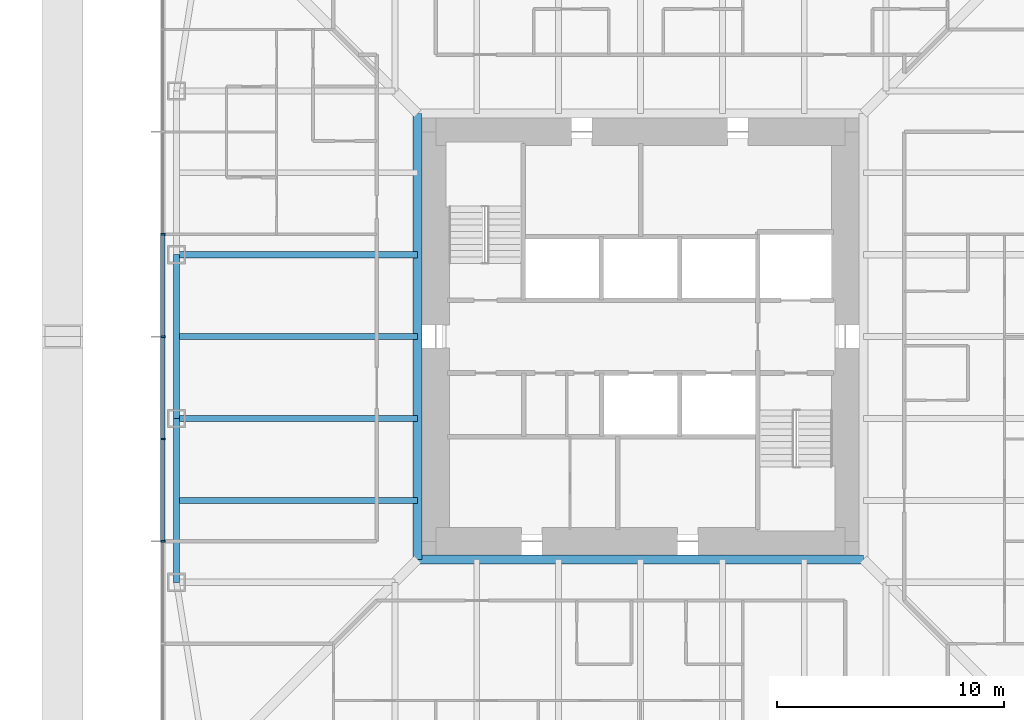
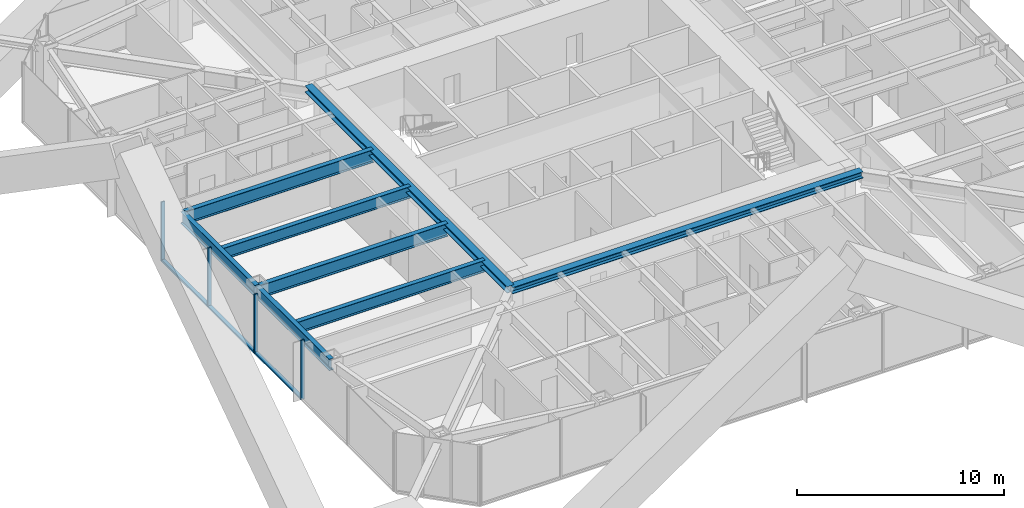
# One storey, part 4 of 26: 8 beams, 7 members, 1 element without a shape of its own.
"""IFC4 building model written with IfcOpenShell, lengths in metres."""

from ifc_helpers import new_model, si_unit, direction, frame, origin, origin_2d, place, context, subcontext, project, spatial, rectangle, i_section, extrude, material, material_profile, profile_set, type_object, element, aggregate, save


model = new_model("IFC4")

# Units and contexts
model_context = context("Model", 3, precision=1e-05, world=origin(), true_north=direction((0.0, 1.0)))
body_context = subcontext(model_context, "Body", "Model", "MODEL_VIEW")
ifc_project = project(units=[si_unit("LENGTHUNIT", "METRE"), si_unit("AREAUNIT", "SQUARE_METRE"), si_unit("VOLUMEUNIT", "CUBIC_METRE"), si_unit("PLANEANGLEUNIT", "RADIAN"), si_unit("MASSUNIT", "GRAM", prefix="KILO")], contexts=[model_context])

# Site, building, storey
site_placement = place(None, origin())
site = spatial("IfcSite", under=ifc_project, at=site_placement, CompositionType="ELEMENT")
building_placement = place(site_placement, origin())
building = spatial("IfcBuilding", under=site, at=building_placement, Name="Iwan Alto Co-Living Towers", CompositionType="ELEMENT")
storey_placement = place(building_placement, frame((0.0, 0.0, 115.5)))
storey = spatial("IfcBuildingStorey", under=building, at=storey_placement, Name="L31", CompositionType="ELEMENT", Elevation=115.5)

# Curtain wall, members
ifc_material_1 = material(Name="Bronze aluminium unitised frame", Category="aluminium")
curtain_wall_type = type_object("IfcCurtainWallType", Name="CURTAIN WALL CW-A", PredefinedType="NOTDEFINED", material=ifc_material_1)
curtain_wall_placement = place(storey_placement, origin())
curtain_wall = element("IfcCurtainWall", 1, at=curtain_wall_placement, inside=storey, type_object=curtain_wall_type, Name="T1 curtain wall W L31", PredefinedType="NOTDEFINED")
ifc_material_2 = material(Name="Aluminium 6063-T6 bronze anodised", Category="aluminium")
ifc_material_profile_1 = material_profile(ifc_material_2, rectangle(XDim=0.199951171875, YDim=0.080078125, at=origin_2d()), Name="AL 80X200")
ifc_profile_set_1 = profile_set([ifc_material_profile_1], Name="Aluminium 6063-T6 bronze anodised")
member_type_1 = type_object("IfcMemberType", Name="CW-A MULLION 80X200", PredefinedType="MULLION", material=ifc_profile_set_1)
member_1_placement = place(storey_placement, frame((-21.0, 4.5, 0.0), z_axis=(0.0, 0.0, 1.0), x_axis=(1.0, 0.0, 0.0)))
member_1 = element("IfcMember", 2, at=member_1_placement, type_object=member_type_1, Name="CW-A mullion 4", PredefinedType="MULLION", context=body_context, shape_type="SweptSolid", body=[
    extrude(rectangle(XDim=0.199951171875, YDim=0.080078125, at=origin_2d()), origin(), (0.0, 0.0, 1.0), 3.5),
])
member_2_placement = place(storey_placement, frame((-21.0, 0.0, 0.0), z_axis=(0.0, 0.0, 1.0), x_axis=(1.0, 0.0, 0.0)))
member_2 = element("IfcMember", 3, at=member_2_placement, type_object=member_type_1, Name="CW-A mullion 5", PredefinedType="MULLION", context=body_context, shape_type="SweptSolid", body=[
    extrude(rectangle(XDim=0.199951171875, YDim=0.080078125, at=origin_2d()), origin(), (0.0, 0.0, 1.0), 3.5),
])
member_3_placement = place(storey_placement, frame((-21.0, -4.5, 0.0), z_axis=(0.0, 0.0, 1.0), x_axis=(1.0, 0.0, 0.0)))
member_3 = element("IfcMember", 4, at=member_3_placement, type_object=member_type_1, Name="CW-A mullion 6", PredefinedType="MULLION", context=body_context, shape_type="SweptSolid", body=[
    extrude(rectangle(XDim=0.199951171875, YDim=0.080078125, at=origin_2d()), origin(), (0.0, 0.0, 1.0), 3.5),
])
member_4_placement = place(storey_placement, frame((-21.0, -9.0, 0.0), z_axis=(0.0, 0.0, 1.0), x_axis=(1.0, 0.0, 0.0)))
member_4 = element("IfcMember", 5, at=member_4_placement, type_object=member_type_1, Name="CW-A mullion 7", PredefinedType="MULLION", context=body_context, shape_type="SweptSolid", body=[
    extrude(rectangle(XDim=0.199951171875, YDim=0.080078125, at=origin_2d()), origin(), (0.0, 0.0, 1.0), 3.5),
])
ifc_material_3 = material(Name="Aluminium 6063-T6 bronze anodised", Category="aluminium")
ifc_material_profile_2 = material_profile(ifc_material_3, rectangle(XDim=0.199951171875, YDim=0.10009765625, at=origin_2d()), Name="AL 200X100")
ifc_profile_set_2 = profile_set([ifc_material_profile_2], Name="Aluminium 6063-T6 bronze anodised")
member_type_2 = type_object("IfcMemberType", Name="CW-A TRANSOM 200X100", PredefinedType="USERDEFINED", material=ifc_profile_set_2)
member_5_placement = place(storey_placement, frame((-21.0, 4.4599609375, 0.050048828125), z_axis=(0.0, -1.0, 0.0), x_axis=(1.0, 0.0, 0.0)))
member_5 = element("IfcMember", 6, at=member_5_placement, type_object=member_type_2, Name="CW-A transom 4.1", ObjectType="TRANSOM", PredefinedType="USERDEFINED", context=body_context, shape_type="SweptSolid", body=[
    extrude(rectangle(XDim=0.199951171875, YDim=0.10009765625, at=origin_2d()), origin(), (0.0, 0.0, 1.0), 4.419921875),
])
member_6_placement = place(storey_placement, frame((-21.0, -0.0400390625, 0.050048828125), z_axis=(0.0, -1.0, 0.0), x_axis=(1.0, 0.0, 0.0)))
member_6 = element("IfcMember", 7, at=member_6_placement, type_object=member_type_2, Name="CW-A transom 5.1", ObjectType="TRANSOM", PredefinedType="USERDEFINED", context=body_context, shape_type="SweptSolid", body=[
    extrude(rectangle(XDim=0.199951171875, YDim=0.10009765625, at=origin_2d()), origin(), (0.0, 0.0, 1.0), 4.419921875),
])
member_7_placement = place(storey_placement, frame((-21.0, -4.5400390625, 0.050048828125), z_axis=(0.0, -1.0, 0.0), x_axis=(1.0, 0.0, 0.0)))
member_7 = element("IfcMember", 8, at=member_7_placement, type_object=member_type_2, Name="CW-A transom 6.1", ObjectType="TRANSOM", PredefinedType="USERDEFINED", context=body_context, shape_type="SweptSolid", body=[
    extrude(rectangle(XDim=0.199951171875, YDim=0.10009765625, at=origin_2d()), origin(), (0.0, 0.0, 1.0), 4.419921875),
])
aggregate(curtain_wall, [member_1, member_2, member_3, member_4, member_5, member_6, member_7])

# Beams
ifc_material_4 = material(Name="Steel ASTM A992 Gr 50", Category="steel")
ifc_material_profile_3 = material_profile(ifc_material_4, i_section(OverallWidth=0.398681640625, OverallDepth=0.385986328125, WebThickness=0.02099609375, FlangeThickness=0.033203125, at=origin_2d()), Name="W14X176")
ifc_profile_set_3 = profile_set([ifc_material_profile_3], Name="Steel ASTM A992 Gr 50")
beam_type_1 = type_object("IfcBeamType", Name="T1 CORE LEDGER BEAM W14X176", PredefinedType="BEAM", material=ifc_profile_set_3)
for number, where, z_axis, x_axis, name in (
    (9, (-9.79931640625, -9.79931640625, 3.076904296875), (1.0, 0.0, 0.0), (0.0, 1.0, 0.0), "T1 core ledger beam S L32"),
    (10, (-9.79931640625, 9.79931640625, 3.076904296875), (0.0, -1.0, 0.0), (1.0, 0.0, 0.0), "T1 core ledger beam W L32"),
):
    element("IfcBeam", number, at=place(storey_placement, frame(where, z_axis=z_axis, x_axis=x_axis)), inside=storey, type_object=beam_type_1, Name=name, PredefinedType="BEAM", context=body_context, shape_type="SweptSolid", body=[
        extrude(i_section(OverallWidth=0.398681640625, OverallDepth=0.385986328125, WebThickness=0.02099609375, FlangeThickness=0.033203125, at=origin_2d()), origin(), (0.0, 0.0, 1.0), 19.5986328125),
    ])
ifc_material_5 = material(Name="Steel ASTM A992 Gr 50", Category="steel")
ifc_material_profile_4 = material_profile(ifc_material_5, i_section(OverallWidth=0.25390625, OverallDepth=0.683349609375, WebThickness=0.012451171875, FlangeThickness=0.018798828125, at=origin_2d()), Name="W27X94")
ifc_profile_set_4 = profile_set([ifc_material_profile_4], Name="Steel ASTM A992 Gr 50")
beam_type_2 = type_object("IfcBeamType", Name="T1 EDGE BEAM W27X94", PredefinedType="BEAM", material=ifc_profile_set_4)
beam_1_placement = place(storey_placement, frame((-20.39990234375, 3.60009765625, 2.928466796875), z_axis=(0.0, -1.0, 0.0), x_axis=(1.0, 0.0, 0.0)))
element("IfcBeam", 11, at=beam_1_placement, inside=storey, type_object=beam_type_2, Name="T1 edge beam W2 L32", PredefinedType="BEAM", context=body_context, shape_type="SweptSolid", body=[
    extrude(i_section(OverallWidth=0.25390625, OverallDepth=0.683349609375, WebThickness=0.012451171875, FlangeThickness=0.018798828125, at=origin_2d()), origin(), (0.0, 0.0, 1.0), 7.2001953125),
])
beam_2_placement = place(storey_placement, frame((-20.39990234375, -3.60009765625, 2.928466796875), z_axis=(0.0, -1.0, 0.0), x_axis=(1.0, 0.0, 0.0)))
element("IfcBeam", 12, at=beam_2_placement, inside=storey, type_object=beam_type_2, Name="T1 edge beam W3 L32", PredefinedType="BEAM", context=body_context, shape_type="SweptSolid", body=[
    extrude(i_section(OverallWidth=0.25390625, OverallDepth=0.683349609375, WebThickness=0.012451171875, FlangeThickness=0.018798828125, at=origin_2d()), origin(), (0.0, 0.0, 1.0), 7.199951171875),
])
ifc_material_6 = material(Name="Steel ASTM A992 Gr 50", Category="steel")
ifc_material_profile_5 = material_profile(ifc_material_6, i_section(OverallWidth=0.2666015625, OverallDepth=0.761962890625, WebThickness=0.014404296875, FlangeThickness=0.021484375, at=origin_2d()), Name="W30X116")
ifc_profile_set_5 = profile_set([ifc_material_profile_5], Name="Steel ASTM A992 Gr 50")
beam_type_3 = type_object("IfcBeamType", Name="T1 RADIAL BEAM W30X116", PredefinedType="BEAM", material=ifc_profile_set_5)
for number, where, z_axis, x_axis, name in (
    (13, (-20.39990234375, 3.60009765625, 2.888916015625), (1.0, 0.0, 0.0), (0.0, 1.0, 0.0), "T1 radial beam W2 L32"),
    (14, (-20.39990234375, -3.60009765625, 2.888916015625), (1.0, 0.0, 0.0), (0.0, 1.0, 0.0), "T1 radial beam W3 L32"),
):
    element("IfcBeam", number, at=place(storey_placement, frame(where, z_axis=z_axis, x_axis=x_axis)), inside=storey, type_object=beam_type_3, Name=name, PredefinedType="BEAM", context=body_context, shape_type="SweptSolid", body=[
        extrude(i_section(OverallWidth=0.2666015625, OverallDepth=0.761962890625, WebThickness=0.014404296875, FlangeThickness=0.021484375, at=origin_2d()), origin(), (0.0, 0.0, 1.0), 10.6005859375),
    ])
ifc_material_7 = material(Name="Steel ASTM A992 Gr 50", Category="steel")
ifc_material_profile_6 = material_profile(ifc_material_7, i_section(OverallWidth=0.25390625, OverallDepth=0.683349609375, WebThickness=0.012451171875, FlangeThickness=0.018798828125, at=origin_2d()), Name="W27X94")
ifc_profile_set_6 = profile_set([ifc_material_profile_6], Name="Steel ASTM A992 Gr 50")
beam_type_4 = type_object("IfcBeamType", Name="T1 SECONDARY BEAM W27X94", PredefinedType="JOIST", material=ifc_profile_set_6)
for number, where, z_axis, x_axis, name in (
    (15, (-20.39990234375, 0.0, 2.928466796875), (1.0, 0.0, 0.0), (0.0, 1.0, 0.0), "T1 secondary beam W2 L32"),
    (16, (-20.39990234375, -7.199951171875, 2.928466796875), (1.0, 0.0, 0.0), (0.0, 1.0, 0.0), "T1 secondary beam W3 L32"),
):
    element("IfcBeam", number, at=place(storey_placement, frame(where, z_axis=z_axis, x_axis=x_axis)), inside=storey, type_object=beam_type_4, Name=name, PredefinedType="JOIST", context=body_context, shape_type="SweptSolid", body=[
        extrude(i_section(OverallWidth=0.25390625, OverallDepth=0.683349609375, WebThickness=0.012451171875, FlangeThickness=0.018798828125, at=origin_2d()), origin(), (0.0, 0.0, 1.0), 10.6005859375),
    ])

save(model, "model.ifc")
